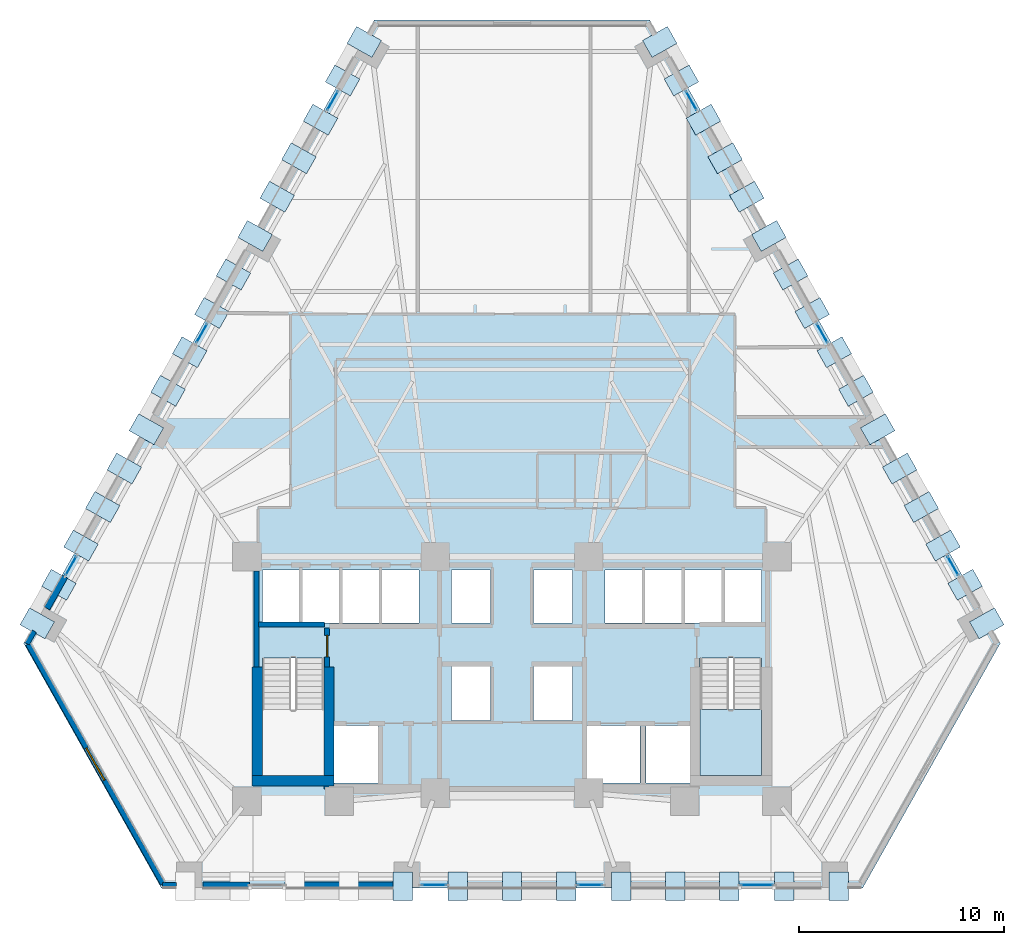
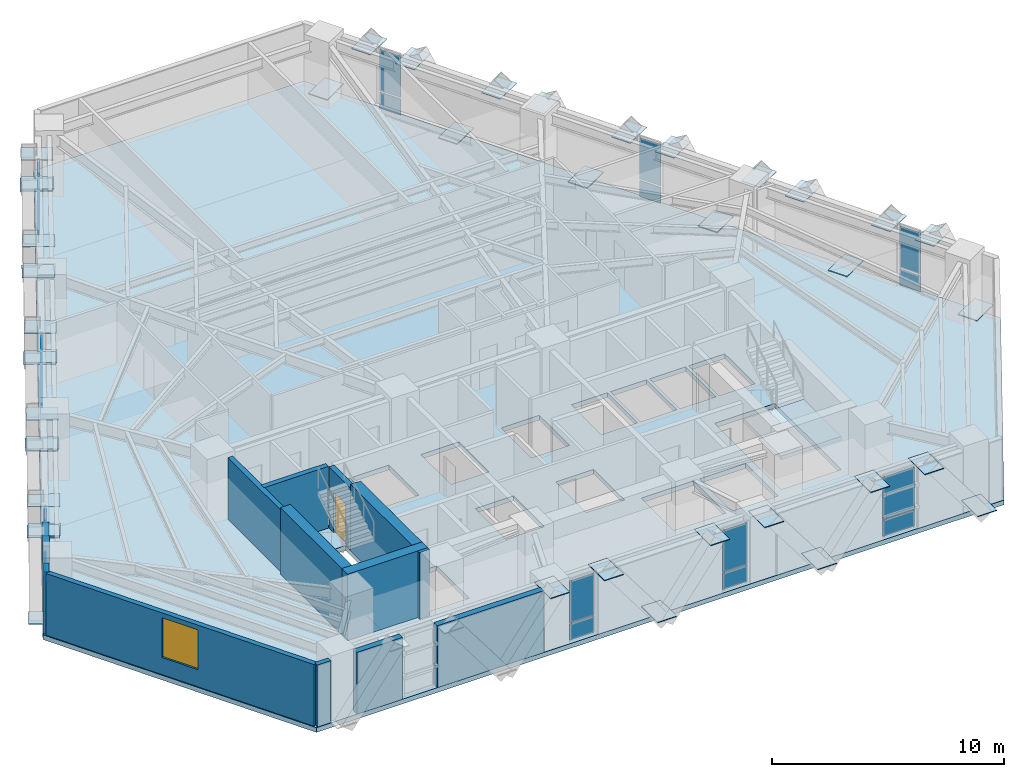
# One storey, part 6 of 13: 59 plates, 12 walls, 2 slabs, 1 door, 1 window, 2 openings, 10 elements without a shape of their own.
"""IFC4 building model written with IfcOpenShell, lengths in metres."""

from ifc_helpers import new_model, si_unit, direction, frame, frame_2d, origin, origin_2d, place, context, subcontext, project, spatial, polyline, rectangle, outline, extrude, material, layer, layer_set, type_object, element, fill, aggregate, save


model = new_model("IFC4")

# Units and contexts
model_context = context("Model", 3, precision=1e-05, world=origin(), true_north=direction((0.0, 1.0)))
body_context = subcontext(model_context, "Body", "Model", "MODEL_VIEW")
ifc_project = project(units=[si_unit("LENGTHUNIT", "METRE"), si_unit("AREAUNIT", "SQUARE_METRE"), si_unit("VOLUMEUNIT", "CUBIC_METRE"), si_unit("PLANEANGLEUNIT", "RADIAN"), si_unit("MASSUNIT", "GRAM", prefix="KILO")], contexts=[model_context])

# Site, building, storey
site_placement = place(None, origin())
site = spatial("IfcSite", under=ifc_project, at=site_placement, CompositionType="ELEMENT")
building_placement = place(site_placement, origin())
building = spatial("IfcBuilding", under=site, at=building_placement, Name="Quenlor Broadcast Tower", CompositionType="ELEMENT")
storey_placement = place(building_placement, frame((0.0, 0.0, 69.60009765625)))
storey = spatial("IfcBuildingStorey", under=building, at=storey_placement, Name="L18", CompositionType="ELEMENT", Elevation=69.60009765625)

# Curtain wall, plates
ifc_material_1 = material(Name="Architectural Terracotta and Low-E Glazing", Category="masonry")
curtain_wall_type = type_object("IfcCurtainWallType", Name="Unitised Terracotta Curtain Wall System Z1", PredefinedType="NOTDEFINED", material=ifc_material_1)
curtain_wall_1_placement = place(storey_placement, origin())
curtain_wall_1 = element("IfcCurtainWall", 1, at=curtain_wall_1_placement, inside=storey, type_object=curtain_wall_type, Name="L18 Curtain Wall CW1 (L18-SA-G1)", PredefinedType="NOTDEFINED")
ifc_material_2 = material(Name="Double Glazed Low-E Solar Glass", Category="glass")
ifc_layer_1 = layer(ifc_material_2, 0.031982421875)
ifc_layer_set_1 = layer_set([ifc_layer_1], Name="CW1 Double Glazed Vision Panel 32")
plate_type_1 = type_object("IfcPlateType", Name="CW1 Double Glazed Vision Panel 32", PredefinedType="CURTAIN_PANEL", material=ifc_layer_set_1)
plate_1_placement = place(storey_placement, frame((11.970703125, -20.840087890625, 0.079833984375), z_axis=(0.0, 0.0, 1.0), x_axis=(-1.0, 0.0, 0.0)))
plate_1 = element("IfcPlate", 2, at=plate_1_placement, type_object=plate_type_1, Name="CW1 panel 1.1", PredefinedType="CURTAIN_PANEL", context=body_context, shape_type="SweptSolid", body=[
    extrude(rectangle(XDim=1.568359375, YDim=0.031982421875, at=origin_2d()), origin(), (0.0, 0.0, 1.0), 0.830078125),
])
plate_2_placement = place(storey_placement, frame((11.970703125, -20.840087890625, 0.98974609375), z_axis=(0.0, 0.0, 1.0), x_axis=(-1.0, 0.0, 0.0)))
plate_2 = element("IfcPlate", 3, at=plate_2_placement, type_object=plate_type_1, Name="CW1 panel 1.2", PredefinedType="CURTAIN_PANEL", context=body_context, shape_type="SweptSolid", body=[
    extrude(rectangle(XDim=1.568359375, YDim=0.031982421875, at=origin_2d()), origin(), (0.0, 0.0, 1.0), 2.179931640625),
])
aggregate(curtain_wall_1, [plate_1, plate_2])

curtain_wall_2_placement = place(storey_placement, origin())
curtain_wall_2 = element("IfcCurtainWall", 4, at=curtain_wall_2_placement, inside=storey, type_object=curtain_wall_type, Name="L18 Curtain Wall CW1 (L18-S-G1)", PredefinedType="NOTDEFINED")
plate_3_placement = place(storey_placement, frame((3.81103515625, -20.840087890625, 0.079833984375), z_axis=(0.0, 0.0, 1.0), x_axis=(-1.0, 0.0, 0.0)))
plate_3 = element("IfcPlate", 5, at=plate_3_placement, type_object=plate_type_1, Name="CW1 panel 1.1", PredefinedType="CURTAIN_PANEL", context=body_context, shape_type="SweptSolid", body=[
    extrude(rectangle(XDim=1.209716796875, YDim=0.031982421875, at=origin_2d()), origin(), (0.0, 0.0, 1.0), 0.830078125),
])
plate_4_placement = place(storey_placement, frame((3.81103515625, -20.840087890625, 0.98974609375), z_axis=(0.0, 0.0, 1.0), x_axis=(-1.0, 0.0, 0.0)))
plate_4 = element("IfcPlate", 6, at=plate_4_placement, type_object=plate_type_1, Name="CW1 panel 1.2", PredefinedType="CURTAIN_PANEL", context=body_context, shape_type="SweptSolid", body=[
    extrude(rectangle(XDim=1.209716796875, YDim=0.031982421875, at=origin_2d()), origin(), (0.0, 0.0, 1.0), 2.179931640625),
])
aggregate(curtain_wall_2, [plate_3, plate_4])

curtain_wall_3_placement = place(storey_placement, origin())
curtain_wall_3 = element("IfcCurtainWall", 7, at=curtain_wall_3_placement, inside=storey, type_object=curtain_wall_type, Name="L18 Curtain Wall CW1 (L18-S-G2)", PredefinedType="NOTDEFINED")
plate_5_placement = place(storey_placement, frame((-3.81103515625, -20.840087890625, 0.079833984375), z_axis=(0.0, 0.0, 1.0), x_axis=(-1.0, 0.0, 0.0)))
plate_5 = element("IfcPlate", 8, at=plate_5_placement, type_object=plate_type_1, Name="CW1 panel 1.1", PredefinedType="CURTAIN_PANEL", context=body_context, shape_type="SweptSolid", body=[
    extrude(rectangle(XDim=1.209716796875, YDim=0.031982421875, at=origin_2d()), origin(), (0.0, 0.0, 1.0), 0.830078125),
])
plate_6_placement = place(storey_placement, frame((-3.81103515625, -20.840087890625, 0.98974609375), z_axis=(0.0, 0.0, 1.0), x_axis=(-1.0, 0.0, 0.0)))
plate_6 = element("IfcPlate", 9, at=plate_6_placement, type_object=plate_type_1, Name="CW1 panel 1.2", PredefinedType="CURTAIN_PANEL", context=body_context, shape_type="SweptSolid", body=[
    extrude(rectangle(XDim=1.209716796875, YDim=0.031982421875, at=origin_2d()), origin(), (0.0, 0.0, 1.0), 2.179931640625),
])
aggregate(curtain_wall_3, [plate_5, plate_6])

curtain_wall_4_placement = place(storey_placement, origin())
curtain_wall_4 = element("IfcCurtainWall", 10, at=curtain_wall_4_placement, inside=storey, type_object=curtain_wall_type, Name="L18 Curtain Wall CW1 (L18-NEA-G1)", PredefinedType="NOTDEFINED")
plate_7_placement = place(storey_placement, frame((8.766845703125, 17.48779296875, 0.079833984375), z_axis=(0.0, 0.0, 1.0), x_axis=(0.490276943553, -0.871566703483, 0.0)))
plate_7 = element("IfcPlate", 11, at=plate_7_placement, type_object=plate_type_1, Name="CW1 panel 1.1", PredefinedType="CURTAIN_PANEL", context=body_context, shape_type="SweptSolid", body=[
    extrude(rectangle(XDim=1.04931640625, YDim=0.031982421875, at=origin_2d()), origin(), (0.0, 0.0, 1.0), 0.830078125),
])
plate_8_placement = place(storey_placement, frame((8.766845703125, 17.48779296875, 0.98974609375), z_axis=(0.0, 0.0, 1.0), x_axis=(0.490276943553, -0.871566703483, 0.0)))
plate_8 = element("IfcPlate", 12, at=plate_8_placement, type_object=plate_type_1, Name="CW1 panel 1.2", PredefinedType="CURTAIN_PANEL", context=body_context, shape_type="SweptSolid", body=[
    extrude(rectangle(XDim=1.04931640625, YDim=0.031982421875, at=origin_2d()), origin(), (0.0, 0.0, 1.0), 2.179931640625),
])
aggregate(curtain_wall_4, [plate_7, plate_8])

curtain_wall_5_placement = place(storey_placement, origin())
curtain_wall_5 = element("IfcCurtainWall", 13, at=curtain_wall_5_placement, inside=storey, type_object=curtain_wall_type, Name="L18 Curtain Wall CW1 (L18-NEC-G1)", PredefinedType="NOTDEFINED")
plate_9_placement = place(storey_placement, frame((21.553955078125, -5.24462890625, 0.079833984375), z_axis=(0.0, 0.0, 1.0), x_axis=(0.490276943553, -0.871566703483, 0.0)))
plate_9 = element("IfcPlate", 14, at=plate_9_placement, type_object=plate_type_1, Name="CW1 panel 1.1", PredefinedType="CURTAIN_PANEL", context=body_context, shape_type="SweptSolid", body=[
    extrude(rectangle(XDim=1.04931640625, YDim=0.031982421875, at=origin_2d()), origin(), (0.0, 0.0, 1.0), 0.830078125),
])
plate_10_placement = place(storey_placement, frame((21.553955078125, -5.24462890625, 0.98974609375), z_axis=(0.0, 0.0, 1.0), x_axis=(0.490276943553, -0.871566703483, 0.0)))
plate_10 = element("IfcPlate", 15, at=plate_10_placement, type_object=plate_type_1, Name="CW1 panel 1.2", PredefinedType="CURTAIN_PANEL", context=body_context, shape_type="SweptSolid", body=[
    extrude(rectangle(XDim=1.04931640625, YDim=0.031982421875, at=origin_2d()), origin(), (0.0, 0.0, 1.0), 2.179931640625),
])
aggregate(curtain_wall_5, [plate_9, plate_10])

curtain_wall_6_placement = place(storey_placement, origin())
curtain_wall_6 = element("IfcCurtainWall", 16, at=curtain_wall_6_placement, inside=storey, type_object=curtain_wall_type, Name="L18 Curtain Wall CW1 (L18-NE-G1)", PredefinedType="NOTDEFINED")
plate_11_placement = place(storey_placement, frame((15.16064453125, 6.12158203125, 0.079833984375), z_axis=(0.0, 0.0, 1.0), x_axis=(0.490276943553, -0.871566703483, 0.0)))
plate_11 = element("IfcPlate", 17, at=plate_11_placement, type_object=plate_type_1, Name="CW1 panel 1.1", PredefinedType="CURTAIN_PANEL", context=body_context, shape_type="SweptSolid", body=[
    extrude(rectangle(XDim=1.04931640625, YDim=0.031982421875, at=origin_2d()), origin(), (0.0, 0.0, 1.0), 0.830078125),
])
plate_12_placement = place(storey_placement, frame((15.16064453125, 6.12158203125, 0.98974609375), z_axis=(0.0, 0.0, 1.0), x_axis=(0.490276943553, -0.871566703483, 0.0)))
plate_12 = element("IfcPlate", 18, at=plate_12_placement, type_object=plate_type_1, Name="CW1 panel 1.2", PredefinedType="CURTAIN_PANEL", context=body_context, shape_type="SweptSolid", body=[
    extrude(rectangle(XDim=1.04931640625, YDim=0.031982421875, at=origin_2d()), origin(), (0.0, 0.0, 1.0), 2.179931640625),
])
aggregate(curtain_wall_6, [plate_11, plate_12])

curtain_wall_7_placement = place(storey_placement, origin())
curtain_wall_7 = element("IfcCurtainWall", 19, at=curtain_wall_7_placement, inside=storey, type_object=curtain_wall_type, Name="L18 Curtain Wall CW1 (L18-NWA-G1)", PredefinedType="NOTDEFINED")
plate_13_placement = place(storey_placement, frame((-21.553955078125, -5.24462890625, 0.079833984375), z_axis=(0.0, 0.0, 1.0), x_axis=(0.490276943553, 0.871566703483, 0.0)))
plate_13 = element("IfcPlate", 20, at=plate_13_placement, type_object=plate_type_1, Name="CW1 panel 1.1", PredefinedType="CURTAIN_PANEL", context=body_context, shape_type="SweptSolid", body=[
    extrude(rectangle(XDim=1.04931640625, YDim=0.031982421875, at=origin_2d()), origin(), (0.0, 0.0, 1.0), 0.830078125),
])
plate_14_placement = place(storey_placement, frame((-21.553955078125, -5.24462890625, 0.98974609375), z_axis=(0.0, 0.0, 1.0), x_axis=(0.490276943553, 0.871566703483, 0.0)))
plate_14 = element("IfcPlate", 21, at=plate_14_placement, type_object=plate_type_1, Name="CW1 panel 1.2", PredefinedType="CURTAIN_PANEL", context=body_context, shape_type="SweptSolid", body=[
    extrude(rectangle(XDim=1.04931640625, YDim=0.031982421875, at=origin_2d()), origin(), (0.0, 0.0, 1.0), 2.179931640625),
])
aggregate(curtain_wall_7, [plate_13, plate_14])

curtain_wall_8_placement = place(storey_placement, origin())
curtain_wall_8 = element("IfcCurtainWall", 22, at=curtain_wall_8_placement, inside=storey, type_object=curtain_wall_type, Name="L18 Curtain Wall CW1 (L18-NWC-G1)", PredefinedType="NOTDEFINED")
plate_15_placement = place(storey_placement, frame((-8.766845703125, 17.48779296875, 0.079833984375), z_axis=(0.0, 0.0, 1.0), x_axis=(0.490276943553, 0.871566703483, 0.0)))
plate_15 = element("IfcPlate", 23, at=plate_15_placement, type_object=plate_type_1, Name="CW1 panel 1.1", PredefinedType="CURTAIN_PANEL", context=body_context, shape_type="SweptSolid", body=[
    extrude(rectangle(XDim=1.04931640625, YDim=0.031982421875, at=origin_2d()), origin(), (0.0, 0.0, 1.0), 0.830078125),
])
plate_16_placement = place(storey_placement, frame((-8.766845703125, 17.48779296875, 0.98974609375), z_axis=(0.0, 0.0, 1.0), x_axis=(0.490276943553, 0.871566703483, 0.0)))
plate_16 = element("IfcPlate", 24, at=plate_16_placement, type_object=plate_type_1, Name="CW1 panel 1.2", PredefinedType="CURTAIN_PANEL", context=body_context, shape_type="SweptSolid", body=[
    extrude(rectangle(XDim=1.04931640625, YDim=0.031982421875, at=origin_2d()), origin(), (0.0, 0.0, 1.0), 2.179931640625),
])
aggregate(curtain_wall_8, [plate_15, plate_16])

curtain_wall_9_placement = place(storey_placement, origin())
curtain_wall_9 = element("IfcCurtainWall", 25, at=curtain_wall_9_placement, inside=storey, type_object=curtain_wall_type, Name="L18 Curtain Wall CW1 (L18-NW-G1)", PredefinedType="NOTDEFINED")
plate_17_placement = place(storey_placement, frame((-15.16064453125, 6.12158203125, 0.079833984375), z_axis=(0.0, 0.0, 1.0), x_axis=(0.490276943553, 0.871566703483, 0.0)))
plate_17 = element("IfcPlate", 26, at=plate_17_placement, type_object=plate_type_1, Name="CW1 panel 1.1", PredefinedType="CURTAIN_PANEL", context=body_context, shape_type="SweptSolid", body=[
    extrude(rectangle(XDim=1.04931640625, YDim=0.031982421875, at=origin_2d()), origin(), (0.0, 0.0, 1.0), 0.830078125),
])
plate_18_placement = place(storey_placement, frame((-15.16064453125, 6.12158203125, 0.98974609375), z_axis=(0.0, 0.0, 1.0), x_axis=(0.490276943553, 0.871566703483, 0.0)))
plate_18 = element("IfcPlate", 27, at=plate_18_placement, type_object=plate_type_1, Name="CW1 panel 1.2", PredefinedType="CURTAIN_PANEL", context=body_context, shape_type="SweptSolid", body=[
    extrude(rectangle(XDim=1.04931640625, YDim=0.031982421875, at=origin_2d()), origin(), (0.0, 0.0, 1.0), 2.179931640625),
])
aggregate(curtain_wall_9, [plate_17, plate_18])

# Stair, slab
ifc_material_3 = material(Name="Precast concrete C40/50", Category="concrete")
stair_type = type_object("IfcStairType", Name="Precast Concrete C40/50 Dogleg Stair H350", PredefinedType="HALF_TURN_STAIR", material=ifc_material_3)
stair_placement = place(storey_placement, origin())
stair = element("IfcStair", 28, at=stair_placement, inside=storey, type_object=stair_type, Name="L18 East Core Fire-Isolated Exit Stair ST-2", PredefinedType="HALF_TURN_STAIR")
ifc_material_4 = material(Name="Precast concrete C40/50", Category="concrete")
ifc_layer_2 = layer(ifc_material_4, 0.199951171875)
ifc_layer_set_2 = layer_set([ifc_layer_2], Name="Precast Concrete C40/50 Stair Landing Slab 200")
slab_type_1 = type_object("IfcSlabType", Name="Precast Concrete C40/50 Stair Landing Slab 200", PredefinedType="LANDING", material=ifc_layer_set_2)
slab_1_placement = place(storey_placement, frame((0.0, 0.0, 1.5498046875)))
slab_1 = element("IfcSlab", 29, at=slab_1_placement, type_object=slab_type_1, Name="ST-2 landing 1", PredefinedType="LANDING", context=body_context, shape_type="SweptSolid", body=[
    extrude(outline(polyline([(9.199951171875, -12.27001953125), (9.199951171875, -15.5), (12.199951171875, -15.5), (12.199951171875, -12.27001953125), (9.199951171875, -12.27001953125)])), origin(), (0.0, 0.0, 1.0), 0.2001953125),
])
aggregate(stair, [slab_1])

# Slab
ifc_material_5 = material(Name="Concrete C40/50", Category="concrete")
ifc_layer_3 = layer(ifc_material_5, 0.25)
ifc_layer_set_3 = layer_set([ifc_layer_3], Name="Tower Composite Concrete C40/50 Slab 250")
slab_type_2 = type_object("IfcSlabType", Name="Tower Composite Concrete C40/50 Slab 250", PredefinedType="FLOOR", material=ifc_layer_set_3)
slab_2_placement = place(storey_placement, frame((0.0, 0.0, -0.25)))
element("IfcSlab", 30, at=slab_2_placement, inside=storey, type_object=slab_type_2, Name="L18 Structural Floor Slab", PredefinedType="FLOOR", context=body_context, shape_type="SweptSolid", body=[
    extrude(outline(polyline([(17.135986328125, -21.0), (23.867919921875, -9.031982421875), (6.73193359375, 21.431884765625), (-6.73193359375, 21.431884765625), (-23.867919921875, -9.031982421875), (-17.135986328125, -21.0), (17.135986328125, -21.0)]), holes=[polyline([(-12.199951171875, -9.758056640625), (-12.199951171875, -15.5), (-9.199951171875, -15.5), (-9.199951171875, -9.758056640625), (-12.199951171875, -9.758056640625)]), polyline([(9.199951171875, -9.758056640625), (9.199951171875, -15.5), (12.199951171875, -15.5), (12.199951171875, -9.758056640625), (9.199951171875, -9.758056640625)]), polyline([(-12.199951171875, -8.050048828125), (-10.39990234375, -8.050048828125), (-10.39990234375, -5.449951171875), (-12.199951171875, -5.449951171875), (-12.199951171875, -8.050048828125)]), polyline([(-10.25, -8.050048828125), (-8.449951171875, -8.050048828125), (-8.449951171875, -5.449951171875), (-10.25, -5.449951171875), (-10.25, -8.050048828125)]), polyline([(-8.300048828125, -8.050048828125), (-6.5, -8.050048828125), (-6.5, -5.449951171875), (-8.300048828125, -5.449951171875), (-8.300048828125, -8.050048828125)]), polyline([(-6.35009765625, -8.050048828125), (-4.550048828125, -8.050048828125), (-4.550048828125, -5.449951171875), (-6.35009765625, -5.449951171875), (-6.35009765625, -8.050048828125)]), polyline([(-2.949951171875, -8.050048828125), (-1.050048828125, -8.050048828125), (-1.050048828125, -5.449951171875), (-2.949951171875, -5.449951171875), (-2.949951171875, -8.050048828125)]), polyline([(1.050048828125, -8.050048828125), (2.949951171875, -8.050048828125), (2.949951171875, -5.449951171875), (1.050048828125, -5.449951171875), (1.050048828125, -8.050048828125)]), polyline([(-2.949951171875, -12.800048828125), (-1.050048828125, -12.800048828125), (-1.050048828125, -10.14990234375), (-2.949951171875, -10.14990234375), (-2.949951171875, -12.800048828125)]), polyline([(1.050048828125, -12.800048828125), (2.949951171875, -12.800048828125), (2.949951171875, -10.14990234375), (1.050048828125, -10.14990234375), (1.050048828125, -12.800048828125)]), polyline([(4.550048828125, -8.050048828125), (6.35009765625, -8.050048828125), (6.35009765625, -5.449951171875), (4.550048828125, -5.449951171875), (4.550048828125, -8.050048828125)]), polyline([(6.5, -8.050048828125), (8.300048828125, -8.050048828125), (8.300048828125, -5.449951171875), (6.5, -5.449951171875), (6.5, -8.050048828125)]), polyline([(8.449951171875, -8.050048828125), (10.25, -8.050048828125), (10.25, -5.449951171875), (8.449951171875, -5.449951171875), (8.449951171875, -8.050048828125)]), polyline([(10.39990234375, -8.050048828125), (12.199951171875, -8.050048828125), (12.199951171875, -5.449951171875), (10.39990234375, -5.449951171875), (10.39990234375, -8.050048828125)]), polyline([(-8.85009765625, -15.85009765625), (-6.550048828125, -15.85009765625), (-6.550048828125, -13.050048828125), (-8.85009765625, -13.050048828125), (-8.85009765625, -15.85009765625)]), polyline([(6.550048828125, -15.85009765625), (8.85009765625, -15.85009765625), (8.85009765625, -13.050048828125), (6.550048828125, -13.050048828125), (6.550048828125, -15.85009765625)]), polyline([(3.64990234375, -15.85009765625), (6.25, -15.85009765625), (6.25, -13.050048828125), (3.64990234375, -13.050048828125), (3.64990234375, -15.85009765625)])]), origin(), (0.0, 0.0, 1.0), 0.25),
])

# Plates
ifc_material_6 = material(Name="Steel S355", Category="steel")
ifc_layer_4 = layer(ifc_material_6, 0.035888671875)
ifc_layer_set_4 = layer_set([ifc_layer_4], Name="Transfer Truss Steel S355 Gusset Node Plate 1400x950x36")
plate_type_2 = type_object("IfcPlateType", Name="Transfer Truss Steel S355 Gusset Node Plate 1400x950x36", PredefinedType="SHEET", material=ifc_layer_set_4)
for number, where, z_axis, x_axis, name in (
    (31, (15.9609375, -20.89990234375, 0.0419921875), (0.0, 0.0, 1.0), (0.0, -1.0, 0.0), "L18 Lattice Tie Gusset Node S-B0"),
    (32, (13.31689453125, -20.89990234375, 3.18212890625), (0.0, 0.0, 1.0), (0.0, -1.0, 0.0), "L18 Lattice Tie Gusset Node S-T1"),
    (33, (7.98046875, -20.89990234375, 0.0419921875), (0.0, 0.0, 1.0), (0.0, -1.0, 0.0), "L18 Lattice Tie Gusset Node S-B3"),
    (34, (10.624755859375, -20.89990234375, 3.18212890625), (0.0, 0.0, 1.0), (0.0, -1.0, 0.0), "L18 Lattice Tie Gusset Node S-T2"),
    (35, (5.336181640625, -20.89990234375, 3.18212890625), (0.0, 0.0, 1.0), (0.0, -1.0, 0.0), "L18 Lattice Tie Gusset Node S-T4"),
    (36, (0.0, -20.89990234375, 0.0419921875), (0.0, 0.0, 1.0), (0.0, -1.0, 0.0), "L18 Lattice Tie Gusset Node S-B6"),
    (37, (2.644287109375, -20.89990234375, 3.18212890625), (0.0, 0.0, 1.0), (0.0, -1.0, 0.0), "L18 Lattice Tie Gusset Node S-T5"),
    (38, (-2.644287109375, -20.89990234375, 3.18212890625), (0.0, 0.0, 1.0), (0.0, -1.0, 0.0), "L18 Lattice Tie Gusset Node S-T7"),
    (39, (-5.336181640625, -20.89990234375, 3.18212890625), (0.0, 0.0, 1.0), (0.0, -1.0, 0.0), "L18 Lattice Tie Gusset Node S-T8"),
    (40, (7.220947265625, 20.35888671875, 0.0419921875), (0.0, 0.0, 1.0), (0.871556314255, 0.490295412055, 0.0), "L18 Lattice Tie Gusset Node NE-B0"),
    (41, (8.280029296875, 18.475830078125, 3.18212890625), (0.0, 0.0, 1.0), (0.871556314255, 0.490295412055, 0.0), "L18 Lattice Tie Gusset Node NE-T1"),
    (42, (10.41748046875, 14.67578125, 0.0419921875), (0.0, 0.0, 1.0), (0.871556314255, 0.490295412055, 0.0), "L18 Lattice Tie Gusset Node NE-B3"),
    (43, (9.3583984375, 16.558837890625, 3.18212890625), (0.0, 0.0, 1.0), (0.871556314255, 0.490295412055, 0.0), "L18 Lattice Tie Gusset Node NE-T2"),
    (44, (11.476806640625, 12.792724609375, 3.18212890625), (0.0, 0.0, 1.0), (0.871556314255, 0.490295412055, 0.0), "L18 Lattice Tie Gusset Node NE-T4"),
    (45, (13.614501953125, 8.99267578125, 0.0419921875), (0.0, 0.0, 1.0), (0.871556314255, 0.490295412055, 0.0), "L18 Lattice Tie Gusset Node NE-B6"),
    (46, (12.55517578125, 10.87548828125, 3.18212890625), (0.0, 0.0, 1.0), (0.871556314255, 0.490295412055, 0.0), "L18 Lattice Tie Gusset Node NE-T5"),
    (47, (14.673583984375, 7.109619140625, 3.18212890625), (0.0, 0.0, 1.0), (0.871556314255, 0.490295412055, 0.0), "L18 Lattice Tie Gusset Node NE-T7"),
    (48, (16.811279296875, 3.309326171875, 0.0419921875), (0.0, 0.0, 1.0), (0.871556314255, 0.490295412055, 0.0), "L18 Lattice Tie Gusset Node NE-B9"),
    (49, (15.751953125, 5.1923828125, 3.18212890625), (0.0, 0.0, 1.0), (0.871556314255, 0.490295412055, 0.0), "L18 Lattice Tie Gusset Node NE-T8"),
    (50, (17.870361328125, 1.426513671875, 3.18212890625), (0.0, 0.0, 1.0), (0.871556314255, 0.490295412055, 0.0), "L18 Lattice Tie Gusset Node NE-T10"),
    (51, (20.008056640625, -2.373779296875, 0.0419921875), (0.0, 0.0, 1.0), (0.871556314255, 0.490295412055, 0.0), "L18 Lattice Tie Gusset Node NE-B12"),
    (52, (18.94873046875, -0.49072265625, 3.18212890625), (0.0, 0.0, 1.0), (0.871556314255, 0.490295412055, 0.0), "L18 Lattice Tie Gusset Node NE-T11"),
    (53, (21.067138671875, -4.256591796875, 3.18212890625), (0.0, 0.0, 1.0), (0.871556314255, 0.490295412055, 0.0), "L18 Lattice Tie Gusset Node NE-T13"),
    (54, (23.20458984375, -8.056884765625, 0.0419921875), (0.0, 0.0, 1.0), (0.871556314255, 0.490295412055, 0.0), "L18 Lattice Tie Gusset Node NE-B15"),
    (55, (22.1455078125, -6.173828125, 3.18212890625), (0.0, 0.0, 1.0), (0.871556314255, 0.490295412055, 0.0), "L18 Lattice Tie Gusset Node NE-T14"),
    (56, (-23.20458984375, -8.056884765625, 0.0419921875), (0.0, 0.0, 1.0), (-0.871556314255, 0.490295412055, 0.0), "L18 Lattice Tie Gusset Node NW-B0"),
    (57, (-22.1455078125, -6.173828125, 3.18212890625), (0.0, 0.0, 1.0), (-0.871556314255, 0.490295412055, 0.0), "L18 Lattice Tie Gusset Node NW-T1"),
    (58, (-20.008056640625, -2.373779296875, 0.0419921875), (0.0, 0.0, 1.0), (-0.871556314255, 0.490295412055, 0.0), "L18 Lattice Tie Gusset Node NW-B3"),
    (59, (-21.067138671875, -4.256591796875, 3.18212890625), (0.0, 0.0, 1.0), (-0.871556314255, 0.490295412055, 0.0), "L18 Lattice Tie Gusset Node NW-T2"),
    (60, (-18.94873046875, -0.49072265625, 3.18212890625), (0.0, 0.0, 1.0), (-0.871556314255, 0.490295412055, 0.0), "L18 Lattice Tie Gusset Node NW-T4"),
    (61, (-16.811279296875, 3.309326171875, 0.0419921875), (0.0, 0.0, 1.0), (-0.871556314255, 0.490295412055, 0.0), "L18 Lattice Tie Gusset Node NW-B6"),
    (62, (-17.870361328125, 1.426513671875, 3.18212890625), (0.0, 0.0, 1.0), (-0.871556314255, 0.490295412055, 0.0), "L18 Lattice Tie Gusset Node NW-T5"),
    (63, (-15.751953125, 5.1923828125, 3.18212890625), (0.0, 0.0, 1.0), (-0.871556314255, 0.490295412055, 0.0), "L18 Lattice Tie Gusset Node NW-T7"),
    (64, (-13.614501953125, 8.99267578125, 0.0419921875), (0.0, 0.0, 1.0), (-0.871556314255, 0.490295412055, 0.0), "L18 Lattice Tie Gusset Node NW-B9"),
    (65, (-14.673583984375, 7.109619140625, 3.18212890625), (0.0, 0.0, 1.0), (-0.871556314255, 0.490295412055, 0.0), "L18 Lattice Tie Gusset Node NW-T8"),
    (66, (-12.55517578125, 10.87548828125, 3.18212890625), (0.0, 0.0, 1.0), (-0.871556314255, 0.490295412055, 0.0), "L18 Lattice Tie Gusset Node NW-T10"),
    (67, (-10.41748046875, 14.67578125, 0.0419921875), (0.0, 0.0, 1.0), (-0.871556314255, 0.490295412055, 0.0), "L18 Lattice Tie Gusset Node NW-B12"),
    (68, (-11.476806640625, 12.792724609375, 3.18212890625), (0.0, 0.0, 1.0), (-0.871556314255, 0.490295412055, 0.0), "L18 Lattice Tie Gusset Node NW-T11"),
    (69, (-9.3583984375, 16.558837890625, 3.18212890625), (0.0, 0.0, 1.0), (-0.871556314255, 0.490295412055, 0.0), "L18 Lattice Tie Gusset Node NW-T13"),
    (70, (-7.220947265625, 20.35888671875, 0.0419921875), (0.0, 0.0, 1.0), (-0.871556314255, 0.490295412055, 0.0), "L18 Lattice Tie Gusset Node NW-B15"),
    (71, (-8.280029296875, 18.475830078125, 3.18212890625), (0.0, 0.0, 1.0), (-0.871556314255, 0.490295412055, 0.0), "L18 Lattice Tie Gusset Node NW-T14"),
):
    element("IfcPlate", number, at=place(storey_placement, frame(where, z_axis=z_axis, x_axis=x_axis)), inside=storey, type_object=plate_type_2, Name=name, PredefinedType="SHEET", context=body_context, shape_type="SweptSolid", body=[
        extrude(rectangle(XDim=1.39990234375, YDim=0.949951171875, at=origin_2d()), origin(), (0.0, 0.0, 1.0), 0.035888671875),
    ])

# Walls
ifc_material_7 = material(Name="Concrete C65/80", Category="concrete")
ifc_layer_5 = layer(ifc_material_7, 0.5)
ifc_layer_set_5 = layer_set([ifc_layer_5], Name="Core Concrete C65/80 Shear Wall 500")
wall_type_1 = type_object("IfcWallType", Name="Core Concrete C65/80 Shear Wall 500", PredefinedType="SHEAR", material=ifc_layer_set_5)
wall_1_placement = place(storey_placement, frame((-12.699951171875, -15.75, 0.0), z_axis=(0.0, 0.0, 1.0), x_axis=(1.0, 0.0, 0.0)))
element("IfcWall", 72, at=wall_1_placement, inside=storey, type_object=wall_type_1, Name="L18 Core Shear Wall WS-W1", PredefinedType="SHEAR", context=body_context, shape_type="SweptSolid", body=[
    extrude(rectangle(XDim=4.0, YDim=0.5, at=frame_2d((2.0, 0.0))), origin(), (0.0, 0.0, 1.0), 3.5),
])
wall_2_placement = place(storey_placement, frame((-12.449951171875, -15.75, 0.0), z_axis=(0.0, 0.0, 1.0), x_axis=(0.0, 1.0, 0.0)))
element("IfcWall", 73, at=wall_2_placement, inside=storey, type_object=wall_type_1, Name="L18 Core Shear Wall WF-W", PredefinedType="SHEAR", context=body_context, shape_type="SweptSolid", body=[
    extrude(rectangle(XDim=5.550048828125, YDim=0.5, at=frame_2d((2.77490234375, 0.0))), origin(), (0.0, 0.0, 1.0), 3.5),
])
wall_3_placement = place(storey_placement, frame((-8.949951171875, -16.14990234375, 0.0), z_axis=(0.0, 0.0, 1.0), x_axis=(0.0, 1.0, 0.0)))
element("IfcWall", 74, at=wall_3_placement, inside=storey, type_object=wall_type_1, Name="L18 Core Shear Wall WI-W", PredefinedType="SHEAR", context=body_context, shape_type="SweptSolid", body=[
    extrude(rectangle(XDim=5.949951171875, YDim=0.5, at=frame_2d((2.97509765625, 0.0))), origin(), (0.0, 0.0, 1.0), 3.5),
])

# Wall, opening, door
ifc_material_8 = material(Name="Concrete C40/50", Category="concrete")
ifc_layer_6 = layer(ifc_material_8, 0.25)
ifc_layer_set_6 = layer_set([ifc_layer_6], Name="Fire Rated Concrete C40/50 Core Wall 250")
wall_type_2 = type_object("IfcWallType", Name="Fire Rated Concrete C40/50 Core Wall 250", PredefinedType="PARTITIONING", material=ifc_layer_set_6)
wall_4_placement = place(storey_placement, frame((-9.0400390625, -10.179931640625, 0.0), z_axis=(0.0, 0.0, 1.0), x_axis=(0.0, 1.0, 0.0)))
wall_4 = element("IfcWall", 75, at=wall_4_placement, inside=storey, type_object=wall_type_2, Name="L18 Interior Wall CW-ST1-DR", PredefinedType="PARTITIONING", context=body_context, shape_type="SweptSolid", body=[
    extrude(rectangle(XDim=1.89990234375, YDim=0.25, at=frame_2d((0.949951171875, 0.0))), origin(), (0.0, 0.0, 1.0), 3.25),
])
opening_1_placement = place(wall_4_placement, frame((0.47998046875, 0.0, 0.0)))
opening_1 = element("IfcOpeningElement", 76, at=opening_1_placement, cuts=wall_4, Name="Opening FD-1", PredefinedType="OPENING", context=body_context, shape_type="SweptSolid", body=[
    extrude(rectangle(XDim=1.050048828125, YDim=2.14990234375, at=frame_2d((0.52490234375, 1.074951171875))), frame((0.0, 0.135009765625, 0.0), z_axis=(0.0, -1.0, 0.0), x_axis=(1.0, 0.0, 0.0)), (0.0, 0.0, 1.0), 0.27001953125),
])
ifc_material_9 = material(Name="Fire Rated Steel Door Leaf", Category="steel")
door_type = type_object("IfcDoorType", Name="Fire Isolated Stair Door 1050x2150", OperationType="NOTDEFINED", PredefinedType="DOOR", material=ifc_material_9)
door_placement = place(opening_1_placement, origin())
door = element("IfcDoor", 77, at=door_placement, inside=storey, type_object=door_type, Name="L18 Door DR-ST1", OperationType="SINGLE_SWING_LEFT", OverallHeight=2.14990234375, OverallWidth=1.050048828125, PredefinedType="DOOR", context=body_context, shape_type="SweptSolid", body=[
    extrude(rectangle(XDim=1.050048828125, YDim=2.14990234375, at=frame_2d((0.52490234375, 1.074951171875))), frame((0.0, 0.02490234375, 0.0), z_axis=(0.0, -1.0, 0.0), x_axis=(1.0, 0.0, 0.0)), (0.0, 0.0, 1.0), 0.050048828125),
])
fill(opening_1, door)

# Walls
wall_5_placement = place(storey_placement, frame((-12.3798828125, -8.1201171875, 0.0), z_axis=(0.0, 0.0, 1.0), x_axis=(1.0, 0.0, 0.0)))
element("IfcWall", 78, at=wall_5_placement, inside=storey, type_object=wall_type_2, Name="L18 Interior Wall CW-ST1-N", PredefinedType="PARTITIONING", context=body_context, shape_type="SweptSolid", body=[
    extrude(rectangle(XDim=3.219970703125, YDim=0.25, at=frame_2d((1.60986328125, 0.0))), origin(), (0.0, 0.0, 1.0), 3.25),
])
wall_6_placement = place(storey_placement, frame((-12.47998046875, -10.179931640625, 0.0), z_axis=(0.0, 0.0, 1.0), x_axis=(0.0, 1.0, 0.0)))
element("IfcWall", 79, at=wall_6_placement, inside=storey, type_object=wall_type_2, Name="L18 Interior Wall CW-ST1-W2", PredefinedType="PARTITIONING", context=body_context, shape_type="SweptSolid", body=[
    extrude(rectangle(XDim=4.677978515625, YDim=0.25, at=frame_2d((2.3388671875, 0.0))), origin(), (0.0, 0.0, 1.0), 3.25),
])
ifc_material_10 = material(Name="Precast concrete C40/50", Category="concrete")
ifc_layer_7 = layer(ifc_material_10, 0.239990234375)
ifc_layer_set_7 = layer_set([ifc_layer_7], Name="Terrace Threshold Precast Concrete C40/50 Wall 240")
wall_type_3 = type_object("IfcWallType", Name="Terrace Threshold Precast Concrete C40/50 Wall 240", PredefinedType="STANDARD", material=ifc_layer_set_7)
wall_7_placement = place(storey_placement, frame((-16.39501953125, -20.840087890625, 0.0), z_axis=(0.0, 0.0, 1.0), x_axis=(-1.0, 0.0, 0.0)))
element("IfcWall", 80, at=wall_7_placement, inside=storey, type_object=wall_type_3, Name="L18 Exterior Wall L18-SHD-SS1", PredefinedType="STANDARD", context=body_context, shape_type="SweptSolid", body=[
    extrude(rectangle(XDim=0.680908203125, YDim=0.239990234375, at=frame_2d((0.34033203125, 0.0))), origin(), (0.0, 0.0, 1.0), 3.25),
])
wall_8_placement = place(storey_placement, frame((-23.69921875, -9.05810546875, 0.0), z_axis=(0.0, 0.0, 1.0), x_axis=(0.490523074758, 0.871428203084, 0.0)))
element("IfcWall", 81, at=wall_8_placement, inside=storey, type_object=wall_type_3, Name="L18 Exterior Wall L18-SHD-NWS0", PredefinedType="STANDARD", context=body_context, shape_type="SweptSolid", body=[
    extrude(rectangle(XDim=0.708251953125, YDim=0.239990234375, at=frame_2d((0.35400390625, 0.0))), origin(), (0.0, 0.0, 1.0), 3.25),
])

# Wall, opening, window
wall_9_placement = place(storey_placement, frame((-23.659912109375, -9.07568359375, 0.0), z_axis=(0.0, 0.0, 1.0), x_axis=(0.490268135177, -0.871571658345, 0.0)))
wall_9 = element("IfcWall", 82, at=wall_9_placement, inside=storey, type_object=wall_type_3, Name="L18 Exterior Wall L18-CNR-04", PredefinedType="STANDARD", context=body_context, shape_type="SweptSolid", body=[
    extrude(rectangle(XDim=13.44775390625, YDim=0.239990234375, at=frame_2d((6.723876953125, 0.0))), origin(), (0.0, 0.0, 1.0), 3.25),
])
opening_2_placement = place(wall_9_placement, frame((5.823974609375, 0.0, 0.89990234375)))
opening_2 = element("IfcOpeningElement", 83, at=opening_2_placement, cuts=wall_9, Name="Opening WN-1", PredefinedType="OPENING", context=body_context, shape_type="SweptSolid", body=[
    extrude(rectangle(XDim=1.800048828125, YDim=2.10009765625, at=frame_2d((0.89990234375, 1.050048828125))), frame((0.0, 0.1298828125, 0.0), z_axis=(0.0, -1.0, 0.0), x_axis=(1.0, 0.0, 0.0)), (0.0, 0.0, 1.0), 0.260009765625),
])
ifc_material_11 = material(Name="Thermally Broken Aluminium and Low-E Glass", Category="aluminium")
window_type = type_object("IfcWindowType", Name="Tower Acoustic Vision Window 1800x2100", PartitioningType="SINGLE_PANEL", PredefinedType="WINDOW", material=ifc_material_11)
window_placement = place(opening_2_placement, origin())
window = element("IfcWindow", 84, at=window_placement, inside=storey, type_object=window_type, Name="L18 Corner Chamfer Window 4", OverallHeight=2.10009765625, OverallWidth=1.800048828125, PartitioningType="SINGLE_PANEL", PredefinedType="WINDOW", context=body_context, shape_type="SweptSolid", body=[
    extrude(rectangle(XDim=1.800048828125, YDim=2.10009765625, at=frame_2d((0.89990234375, 1.050048828125))), frame((0.0, 0.030029296875, 0.0), z_axis=(0.0, -1.0, 0.0), x_axis=(1.0, 0.0, 0.0)), (0.0, 0.0, 1.0), 0.06005859375),
])
fill(opening_2, window)

# Walls
ifc_material_12 = material(Name="Precast concrete C40/50", Category="concrete")
ifc_layer_8 = layer(ifc_material_12, 0.300048828125)
ifc_layer_set_8 = layer_set([ifc_layer_8], Name="Terracotta Precast Concrete C40/50 Spandrel Wall 300")
wall_type_4 = type_object("IfcWallType", Name="Terracotta Precast Concrete C40/50 Spandrel Wall 300", PredefinedType="STANDARD", material=ifc_layer_set_8)
wall_10_placement = place(storey_placement, frame((-5.790771484375, -20.840087890625, 0.0), z_axis=(0.0, 0.0, 1.0), x_axis=(-1.0, 0.0, 0.0)))
element("IfcWall", 85, at=wall_10_placement, inside=storey, type_object=wall_type_4, Name="L18 Exterior Wall L18-SC-SP1", PredefinedType="STANDARD", context=body_context, shape_type="SweptSolid", body=[
    extrude(rectangle(XDim=5.31591796875, YDim=0.300048828125, at=frame_2d((2.657958984375, 0.0))), origin(), (0.0, 0.0, 1.0), 3.25),
])
wall_11_placement = place(storey_placement, frame((-12.8349609375, -20.840087890625, 0.0), z_axis=(0.0, 0.0, 1.0), x_axis=(-1.0, 0.0, 0.0)))
element("IfcWall", 86, at=wall_11_placement, inside=storey, type_object=wall_type_4, Name="L18 Exterior Wall L18-SC-SP2", PredefinedType="STANDARD", context=body_context, shape_type="SweptSolid", body=[
    extrude(rectangle(XDim=2.280029296875, YDim=0.300048828125, at=frame_2d((1.14013671875, 0.0))), origin(), (0.0, 0.0, 1.0), 3.25),
])
wall_12_placement = place(storey_placement, frame((-22.724365234375, -7.3251953125, 0.0), z_axis=(0.0, 0.0, 1.0), x_axis=(0.490241729391, 0.871586511348, 0.0)))
element("IfcWall", 87, at=wall_12_placement, inside=storey, type_object=wall_type_4, Name="L18 Exterior Wall L18-NWA-SP1", PredefinedType="STANDARD", context=body_context, shape_type="SweptSolid", body=[
    extrude(rectangle(XDim=1.7822265625, YDim=0.300048828125, at=frame_2d((0.89111328125, 0.0))), origin(), (0.0, 0.0, 1.0), 3.25),
])

save(model, "model.ifc")
